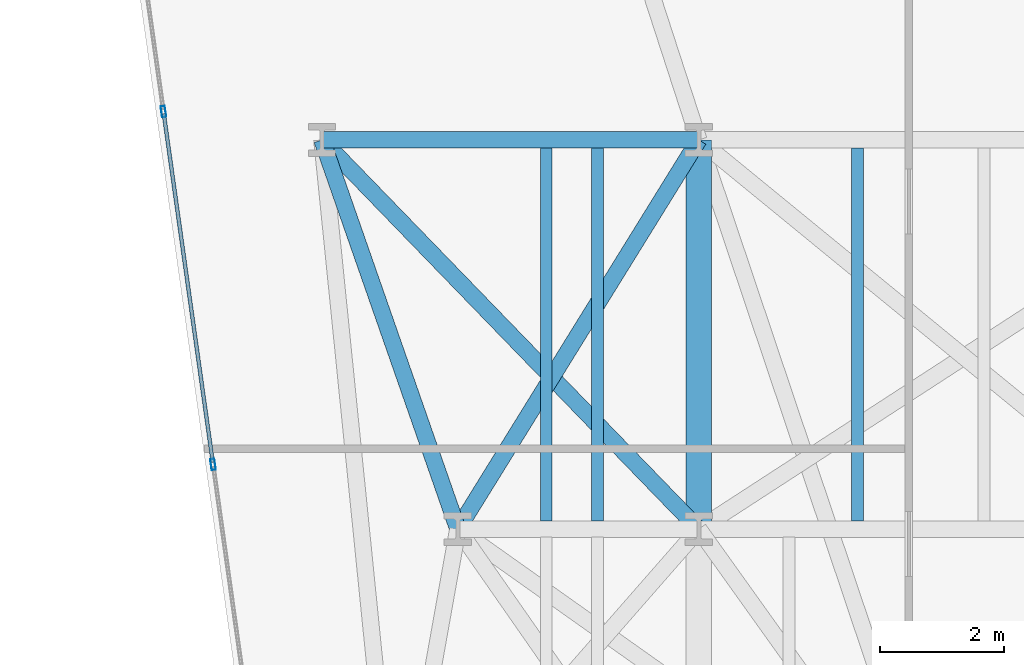
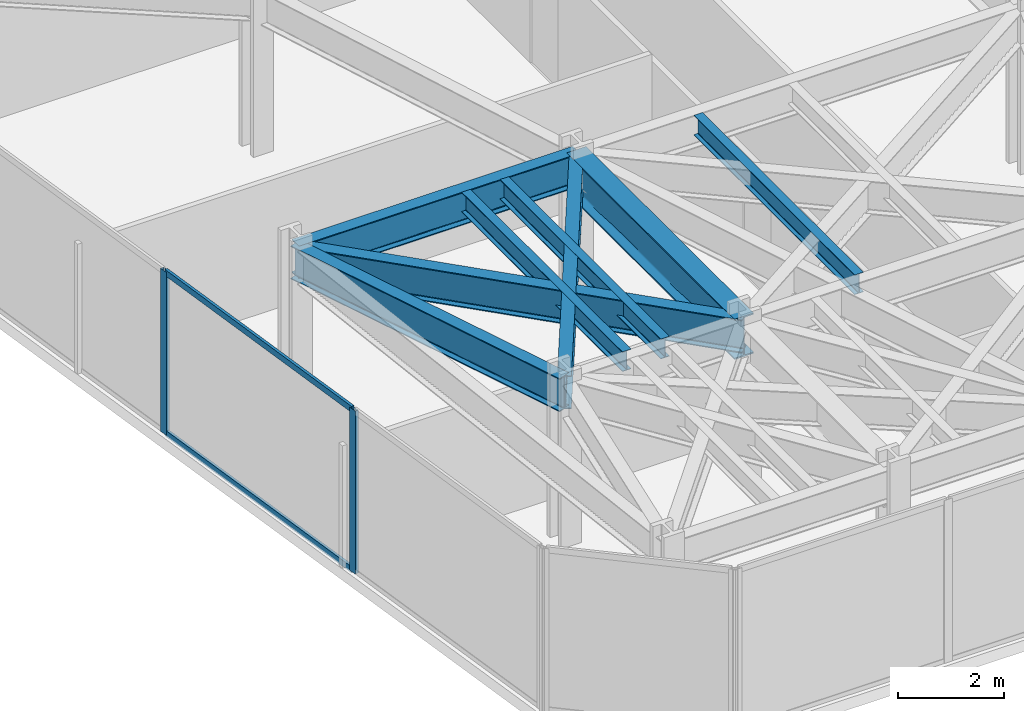
# One storey, part 4 of 25: 8 beams, 4 members, 1 element without a shape of its own.
"""IFC4 building model written with IfcOpenShell, lengths in metres."""

from ifc_helpers import new_model, si_unit, direction, frame, origin, origin_2d, place, context, subcontext, project, spatial, hollow_rectangle, i_section, extrude, material, layer, layer_set, material_profile, profile_set, type_object, element, aggregate, save


model = new_model("IFC4")

# Units and contexts
model_context = context("Model", 3, precision=1e-05, world=origin(), true_north=direction((0.0, 1.0)))
body_context = subcontext(model_context, "Body", "Model", "MODEL_VIEW")
ifc_project = project(units=[si_unit("LENGTHUNIT", "METRE"), si_unit("AREAUNIT", "SQUARE_METRE"), si_unit("VOLUMEUNIT", "CUBIC_METRE"), si_unit("PLANEANGLEUNIT", "RADIAN"), si_unit("MASSUNIT", "GRAM", prefix="KILO")], contexts=[model_context])

# Site, building, storey
site_placement = place(None, origin())
site = spatial("IfcSite", under=ifc_project, at=site_placement, CompositionType="ELEMENT")
building_placement = place(site_placement, origin())
building = spatial("IfcBuilding", under=site, at=building_placement, Name="Kravanh Interchange Tower", CompositionType="ELEMENT")
storey_placement = place(building_placement, frame((0.0, 0.0, 57.5)))
storey = spatial("IfcBuildingStorey", under=building, at=storey_placement, Name="L13", CompositionType="ELEMENT", Elevation=57.5)

# Curtain wall, members
ifc_material_1 = material(Name="Anodised Bronze Aluminium", Category="aluminium")
ifc_layer = layer(ifc_material_1, 0.179931640625)
ifc_layer_set = layer_set([ifc_layer], Name="Unitised Curtain Wall System CW-Z1 Lower Office")
curtain_wall_type = type_object("IfcCurtainWallType", Name="Unitised Curtain Wall System CW-Z1 Lower Office", PredefinedType="NOTDEFINED", material=ifc_layer_set)
curtain_wall_placement = place(storey_placement, origin())
curtain_wall = element("IfcCurtainWall", 1, at=curtain_wall_placement, inside=storey, type_object=curtain_wall_type, Name="L13 Unitised Curtain Wall CW-L13-01", PredefinedType="NOTDEFINED")
ifc_material_2 = material(Name="Anodised Bronze Aluminium", Category="aluminium")
ifc_material_profile_1 = material_profile(ifc_material_2, hollow_rectangle(XDim=0.070068359375, YDim=0.179931640625, WallThickness=0.00390625, at=origin_2d()), Name="ALU70X180X4")
ifc_profile_set_1 = profile_set([ifc_material_profile_1], Name="Anodised Bronze Aluminium")
member_type_1 = type_object("IfcMemberType", Name="Curtain Wall Mullion ALU70X180X4 Bronze", PredefinedType="MULLION", material=ifc_profile_set_1)
member_1_placement = place(storey_placement, frame((9.6376953125, 9.247314453125, 0.0), z_axis=(0.0, 0.0, 1.0), x_axis=(-0.990267585682, -0.139176538065, 0.0)))
member_1 = element("IfcMember", 2, at=member_1_placement, type_object=member_type_1, Name="CW-Z1 mullion 2", PredefinedType="MULLION", context=body_context, shape_type="SweptSolid", body=[
    extrude(hollow_rectangle(XDim=0.070068359375, YDim=0.179931640625, WallThickness=0.00390625, at=origin_2d()), origin(), (0.0, 0.0, 1.0), 3.739990234375),
])
member_2_placement = place(storey_placement, frame((8.835205078125, 14.957763671875, 0.0), z_axis=(0.0, 0.0, 1.0), x_axis=(-0.990267585682, -0.139176538065, 0.0)))
member_2 = element("IfcMember", 3, at=member_2_placement, type_object=member_type_1, Name="CW-Z1 mullion 3", PredefinedType="MULLION", context=body_context, shape_type="SweptSolid", body=[
    extrude(hollow_rectangle(XDim=0.070068359375, YDim=0.179931640625, WallThickness=0.00390625, at=origin_2d()), origin(), (0.0, 0.0, 1.0), 3.739990234375),
])
ifc_material_3 = material(Name="Anodised Bronze Aluminium", Category="aluminium")
ifc_material_profile_2 = material_profile(ifc_material_3, hollow_rectangle(XDim=0.06005859375, YDim=0.139892578125, WallThickness=0.00390625, at=origin_2d()), Name="ALU60X140X4")
ifc_profile_set_2 = profile_set([ifc_material_profile_2], Name="Anodised Bronze Aluminium")
member_type_2 = type_object("IfcMemberType", Name="Curtain Wall Transom ALU60X140X4 Bronze", PredefinedType="USERDEFINED", material=ifc_profile_set_2)
member_3_placement = place(storey_placement, frame((9.633056640625, 9.281982421875, 0.030029296875), z_axis=(-0.139200984921, 0.990264149506, 0.0), x_axis=(-0.990264149506, -0.139200984921, 0.0)))
member_3 = element("IfcMember", 4, at=member_3_placement, type_object=member_type_2, Name="CW-Z1 transom 2.1", ObjectType="TRANSOM", PredefinedType="USERDEFINED", context=body_context, shape_type="SweptSolid", body=[
    extrude(hollow_rectangle(XDim=0.06005859375, YDim=0.139892578125, WallThickness=0.00390625, at=origin_2d()), origin(), (0.0, 0.0, 1.0), 5.696533203125),
])
member_4_placement = place(storey_placement, frame((9.633056640625, 9.281982421875, 3.7099609375), z_axis=(-0.139200984921, 0.990264149506, 0.0), x_axis=(-0.990264149506, -0.139200984921, 0.0)))
member_4 = element("IfcMember", 5, at=member_4_placement, type_object=member_type_2, Name="CW-Z1 transom 2.2", ObjectType="TRANSOM", PredefinedType="USERDEFINED", context=body_context, shape_type="SweptSolid", body=[
    extrude(hollow_rectangle(XDim=0.06005859375, YDim=0.139892578125, WallThickness=0.00390625, at=origin_2d()), origin(), (0.0, 0.0, 1.0), 5.696533203125),
])
aggregate(curtain_wall, [member_1, member_2, member_3, member_4])

# Beams
ifc_material_4 = material(Name="Structural Steel S355", Category="steel")
ifc_material_profile_3 = material_profile(ifc_material_4, i_section(OverallWidth=0.41796875, OverallDepth=0.927001953125, WebThickness=0.019287109375, FlangeThickness=0.031982421875, FilletRadius=0.028076171875, at=origin_2d()), Name="W36X231")
ifc_profile_set_3 = profile_set([ifc_material_profile_3], Name="Structural Steel S355")
beam_type_1 = type_object("IfcBeamType", Name="Floor Beam W36X231 Structural Steel S355", PredefinedType="BEAM", material=ifc_profile_set_3)
beam_1_placement = place(storey_placement, frame((17.5, 8.199951171875, 3.276611328125), z_axis=(0.0, 1.0, 0.0), x_axis=(-1.0, 0.0, 0.0)))
element("IfcBeam", 6, at=beam_1_placement, inside=storey, type_object=beam_type_1, Name="L13 Primary Floor Girder 136", PredefinedType="BEAM", context=body_context, shape_type="SweptSolid", body=[
    extrude(i_section(OverallWidth=0.41796875, OverallDepth=0.927001953125, WebThickness=0.019287109375, FlangeThickness=0.031982421875, FilletRadius=0.028076171875, at=origin_2d()), origin(), (0.0, 0.0, 1.0), 6.300048828125),
])
ifc_material_5 = material(Name="Structural Steel S355", Category="steel")
ifc_material_profile_4 = material_profile(ifc_material_5, i_section(OverallWidth=0.18994140625, OverallDepth=0.45703125, WebThickness=0.009033203125, FlangeThickness=0.014404296875, FilletRadius=0.01806640625, at=origin_2d()), Name="W18X50")
ifc_profile_set_4 = profile_set([ifc_material_profile_4], Name="Structural Steel S355")
beam_type_2 = type_object("IfcBeamType", Name="Floor Joist W18X50 Structural Steel S355", PredefinedType="JOIST", material=ifc_profile_set_4)
for number, where, z_axis, x_axis, name in (
    (7, (15.030029296875, 8.32861328125, 3.511474609375), (0.0, 1.0, 0.0), (-1.0, 0.0, 0.0), "L13 Secondary Floor Joist 7"),
    (8, (15.862060546875, 8.32861328125, 3.511474609375), (0.0, 1.0, 0.0), (-1.0, 0.0, 0.0), "L13 Secondary Floor Joist 8"),
    (9, (20.070068359375, 8.32861328125, 3.511474609375), (0.0, 1.0, 0.0), (-1.0, 0.0, 0.0), "L13 Secondary Floor Joist 9"),
):
    element("IfcBeam", number, at=place(storey_placement, frame(where, z_axis=z_axis, x_axis=x_axis)), inside=storey, type_object=beam_type_2, Name=name, PredefinedType="JOIST", context=body_context, shape_type="SweptSolid", body=[
        extrude(i_section(OverallWidth=0.18994140625, OverallDepth=0.45703125, WebThickness=0.009033203125, FlangeThickness=0.014404296875, FilletRadius=0.01806640625, at=origin_2d()), origin(), (0.0, 0.0, 1.0), 6.04296875),
    ])
ifc_material_6 = material(Name="Structural Steel S355", Category="steel")
ifc_material_profile_5 = material_profile(ifc_material_6, i_section(OverallWidth=0.26708984375, OverallDepth=0.761962890625, WebThickness=0.014404296875, FlangeThickness=0.021484375, FilletRadius=0.02490234375, at=origin_2d()), Name="W30X116")
ifc_profile_set_5 = profile_set([ifc_material_profile_5], Name="Structural Steel S355")
beam_type_3 = type_object("IfcBeamType", Name="Floor Spandrel W30X116 Structural Steel S355", PredefinedType="SPANDREL", material=ifc_profile_set_5)
beam_2_placement = place(storey_placement, frame((13.60009765625, 8.199951171875, 3.35888671875), z_axis=(-0.329706642337, 0.944083433812, 0.0), x_axis=(-0.944083433812, -0.329706642337, 0.0)))
element("IfcBeam", 10, at=beam_2_placement, inside=storey, type_object=beam_type_3, Name="L13 Perimeter Spandrel 134", PredefinedType="SPANDREL", context=body_context, shape_type="SweptSolid", body=[
    extrude(i_section(OverallWidth=0.26708984375, OverallDepth=0.761962890625, WebThickness=0.014404296875, FlangeThickness=0.021484375, FilletRadius=0.02490234375, at=origin_2d()), origin(), (0.0, 0.0, 1.0), 6.673095703125),
])
beam_3_placement = place(storey_placement, frame((13.60009765625, 8.199951171875, 3.35888671875), z_axis=(0.5263421368, 0.850272870923, 0.0), x_axis=(-0.850272870923, 0.5263421368, 0.0)))
element("IfcBeam", 11, at=beam_3_placement, inside=storey, type_object=beam_type_3, Name="L13 Perimeter Spandrel 135", PredefinedType="SPANDREL", context=body_context, shape_type="SweptSolid", body=[
    extrude(i_section(OverallWidth=0.26708984375, OverallDepth=0.761962890625, WebThickness=0.014404296875, FlangeThickness=0.021484375, FilletRadius=0.02490234375, at=origin_2d()), origin(), (0.0, 0.0, 1.0), 7.409423828125),
])
beam_4_placement = place(storey_placement, frame((17.5, 8.199951171875, 3.35888671875), z_axis=(-0.695614323867, 0.718415417729, 0.0), x_axis=(-0.718415417729, -0.695614323867, 0.0)))
element("IfcBeam", 12, at=beam_4_placement, inside=storey, type_object=beam_type_3, Name="L13 Perimeter Spandrel 138", PredefinedType="SPANDREL", context=body_context, shape_type="SweptSolid", body=[
    extrude(i_section(OverallWidth=0.26708984375, OverallDepth=0.761962890625, WebThickness=0.014404296875, FlangeThickness=0.021484375, FilletRadius=0.02490234375, at=origin_2d()), origin(), (0.0, 0.0, 1.0), 8.769287109375),
])
beam_5_placement = place(storey_placement, frame((11.39990234375, 14.5, 3.35888671875), z_axis=(1.0, 0.0, 0.0), x_axis=(0.0, 1.0, 0.0)))
element("IfcBeam", 13, at=beam_5_placement, inside=storey, type_object=beam_type_3, Name="L13 Perimeter Spandrel 143", PredefinedType="SPANDREL", context=body_context, shape_type="SweptSolid", body=[
    extrude(i_section(OverallWidth=0.26708984375, OverallDepth=0.761962890625, WebThickness=0.014404296875, FlangeThickness=0.021484375, FilletRadius=0.02490234375, at=origin_2d()), origin(), (0.0, 0.0, 1.0), 6.10009765625),
])

save(model, "model.ifc")
